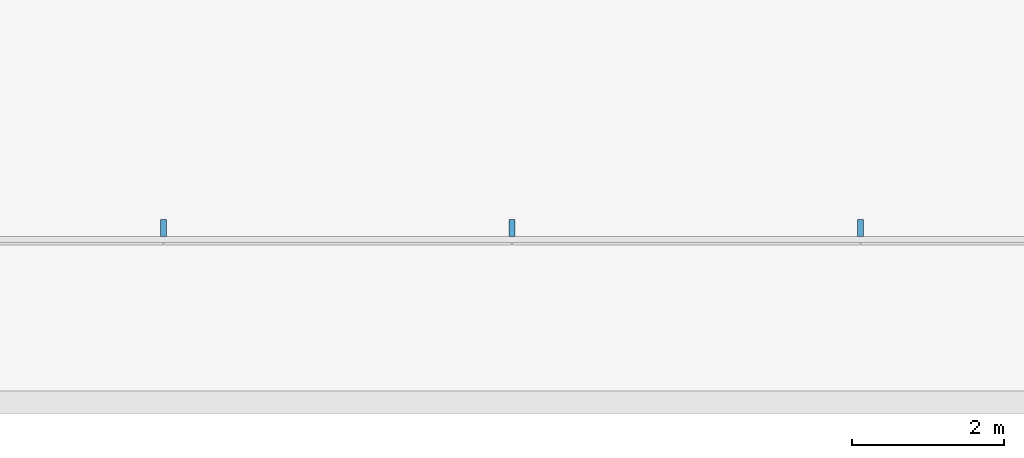
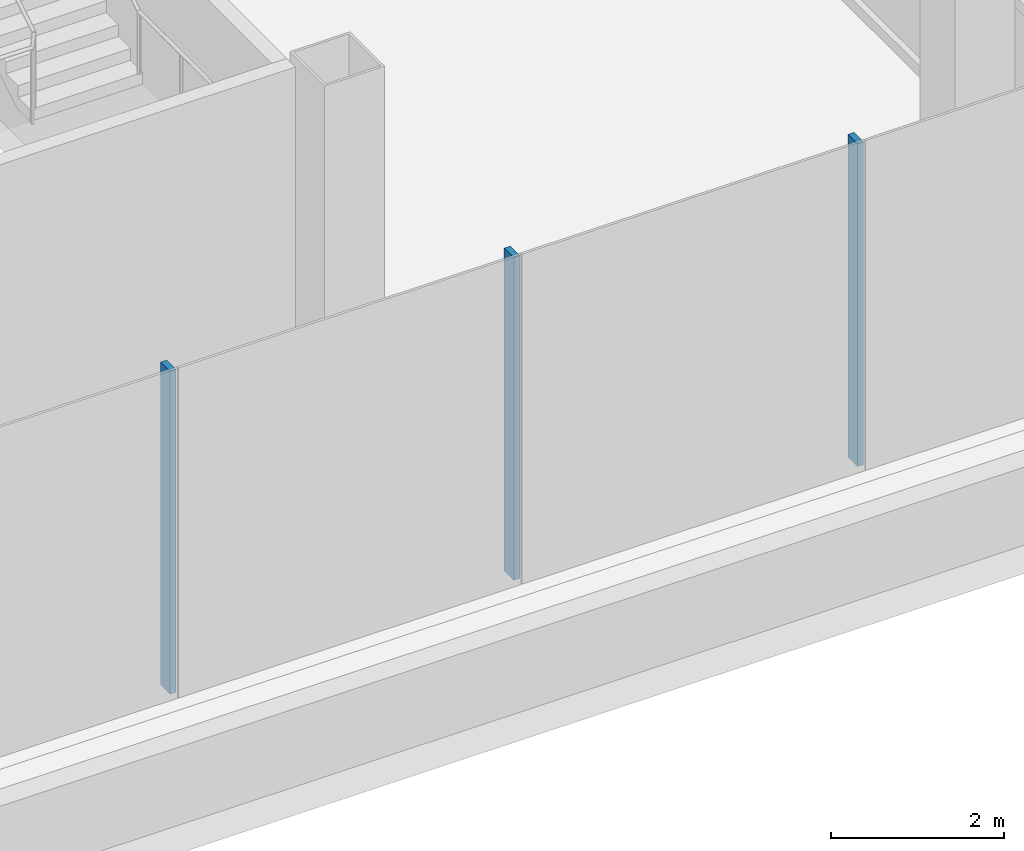
# One storey, part 9 of 33: 3 members, 1 element without a shape of its own.
"""IFC4 building model written with IfcOpenShell, lengths in metres."""

from ifc_helpers import new_model, si_unit, direction, frame, origin, origin_2d, place, context, subcontext, project, spatial, rectangle, extrude, material, layer, layer_set, material_profile, profile_set, type_object, element, aggregate, save


model = new_model("IFC4")

# Units and contexts
model_context = context("Model", 3, precision=1e-05, world=origin(), true_north=direction((0.0, 1.0)))
body_context = subcontext(model_context, "Body", "Model", "MODEL_VIEW")
ifc_project = project(units=[si_unit("LENGTHUNIT", "METRE"), si_unit("AREAUNIT", "SQUARE_METRE"), si_unit("VOLUMEUNIT", "CUBIC_METRE"), si_unit("PLANEANGLEUNIT", "RADIAN"), si_unit("MASSUNIT", "GRAM", prefix="KILO")], contexts=[model_context])

# Site, building, storey
site_placement = place(None, origin())
site = spatial("IfcSite", under=ifc_project, at=site_placement, CompositionType="ELEMENT")
building_placement = place(site_placement, origin())
building = spatial("IfcBuilding", under=site, at=building_placement, Name="Shamsa Quay Exchange Towers", CompositionType="ELEMENT")
storey_placement = place(building_placement, frame((0.0, 0.0, 18.5)))
storey = spatial("IfcBuildingStorey", under=building, at=storey_placement, Name="L03", CompositionType="ELEMENT", Elevation=18.5)

# Curtain wall, members
ifc_material = material(Name="Aluminium EN AW-6063 T6, black anodised", Category="aluminium")
ifc_layer = layer(ifc_material, 0.33203125)
ifc_layer_set = layer_set([ifc_layer], Name="CW-3 PODIUM SHOPFRONT GLAZING")
curtain_wall_type = type_object("IfcCurtainWallType", Name="CW-3 PODIUM SHOPFRONT GLAZING", PredefinedType="NOTDEFINED", material=ifc_layer_set)
curtain_wall_placement = place(storey_placement, origin())
curtain_wall = element("IfcCurtainWall", 1, at=curtain_wall_placement, inside=storey, type_object=curtain_wall_type, Name="CW3 PODIUM-L03-F03", PredefinedType="NOTDEFINED")
ifc_material_profile = material_profile(ifc_material, rectangle(XDim=0.219970703125, YDim=0.080078125, at=origin_2d()), Name="MU80x220")
ifc_profile_set = profile_set([ifc_material_profile], Name="Aluminium EN AW-6063 T6, black anodised")
member_type = type_object("IfcMemberType", Name="CW3 MULLION 80x220", PredefinedType="MULLION", material=ifc_profile_set)
member_1_placement = place(storey_placement, frame((49.259033203125, -33.56005859375, 0.0), z_axis=(0.0, 0.0, 1.0), x_axis=(0.0, 1.0, 0.0)))
member_1 = element("IfcMember", 2, at=member_1_placement, type_object=member_type, Name="CW3 mullion", PredefinedType="MULLION", context=body_context, shape_type="SweptSolid", body=[
    extrude(rectangle(XDim=0.219970703125, YDim=0.080078125, at=origin_2d()), origin(), (0.0, 0.0, 1.0), 4.550048828125),
])
member_2_placement = place(storey_placement, frame((53.83935546875, -33.56005859375, 0.0), z_axis=(0.0, 0.0, 1.0), x_axis=(0.0, 1.0, 0.0)))
member_2 = element("IfcMember", 3, at=member_2_placement, type_object=member_type, Name="CW3 mullion", PredefinedType="MULLION", context=body_context, shape_type="SweptSolid", body=[
    extrude(rectangle(XDim=0.219970703125, YDim=0.080078125, at=origin_2d()), origin(), (0.0, 0.0, 1.0), 4.550048828125),
])
member_3_placement = place(storey_placement, frame((58.419677734375, -33.56005859375, 0.0), z_axis=(0.0, 0.0, 1.0), x_axis=(0.0, 1.0, 0.0)))
member_3 = element("IfcMember", 4, at=member_3_placement, type_object=member_type, Name="CW3 mullion", PredefinedType="MULLION", context=body_context, shape_type="SweptSolid", body=[
    extrude(rectangle(XDim=0.219970703125, YDim=0.080078125, at=origin_2d()), origin(), (0.0, 0.0, 1.0), 4.550048828125),
])
aggregate(curtain_wall, [member_1, member_2, member_3])

save(model, "model.ifc")
